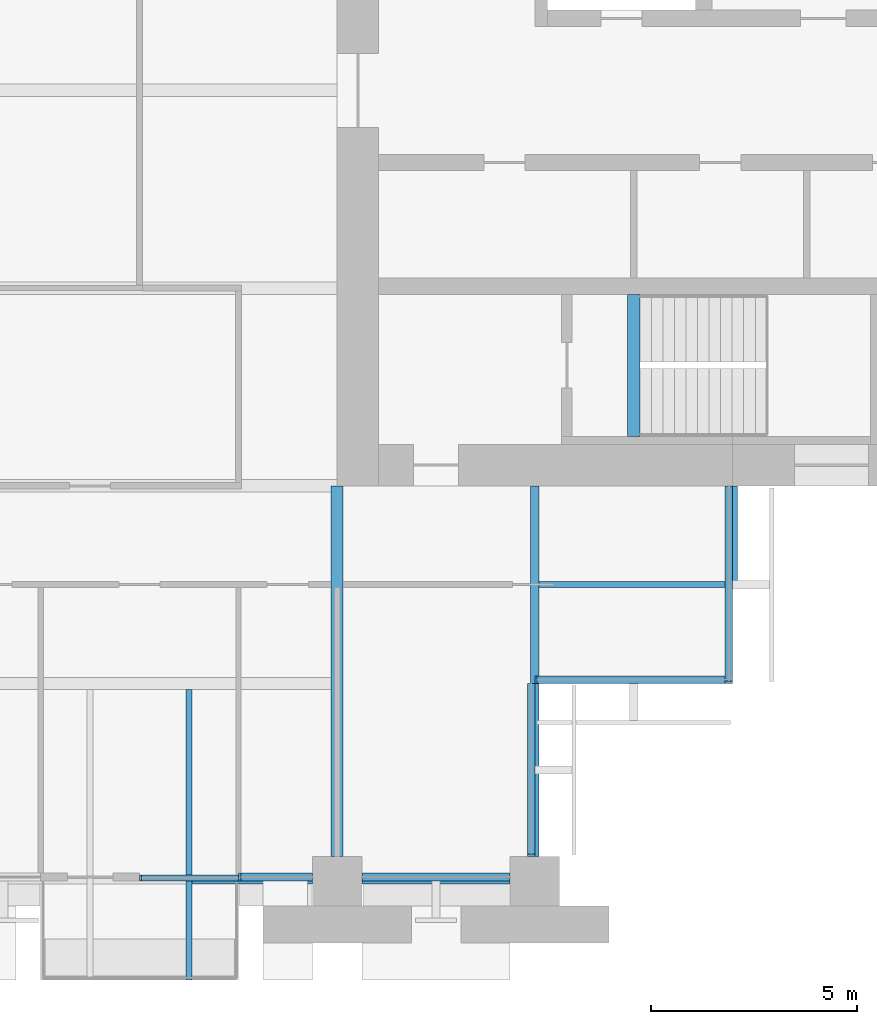
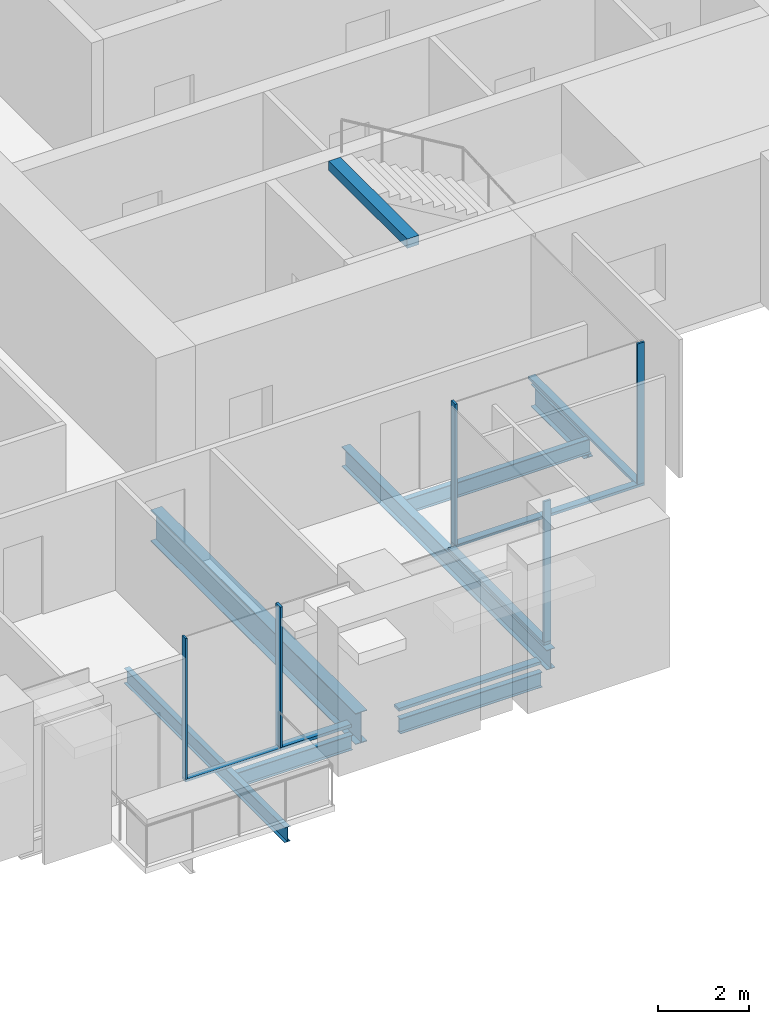
# One storey, part 4 of 15: 11 members, 8 beams, 5 elements without a shape of their own.
"""IFC4 building model written with IfcOpenShell, lengths in metres."""

import ifcopenshell
import ifcopenshell.guid

model = None  # the IFC model being written
_history = None  # IfcOwnerHistory: only IFC2X3 demands one
_inside = {}  # id of a spatial element -> (the spatial element, [elements in it])
_under = {}  # id of a project, library or spatial element -> (it, [spatial elements below it])
_declared = {}  # id of a project -> (the project, [libraries it declares])
_typed = {}  # id of a type object -> (the type object, [elements of that type])
_made_of = {}  # id of a material, layer set ... -> (it, [elements and type objects made of it])


def new_model(schema):
    """Start an empty IFC model of exactly this schema.

    Asked for "IFC4X3", IfcOpenShell would pick the latest addendum, in which some entities
    have other attributes; the version numbers below select the first issue.
    IFC2X3 requires an IfcOwnerHistory on every rooted entity: one is made here for all.
    """
    global model, _history
    if schema == "IFC4X3":
        model = ifcopenshell.file(schema_version=(4, 3, 0, 0))
    else:
        model = ifcopenshell.file(schema=schema)
    _inside.clear()
    _under.clear()
    _declared.clear()
    _typed.clear()
    _made_of.clear()
    _history = None
    if model.schema == "IFC2X3":
        org = make("IfcOrganization", Name="unknown")
        user = make(
            "IfcPersonAndOrganization",
            ThePerson=make("IfcPerson", FamilyName="unknown"),
            TheOrganization=org,
        )
        app = make(
            "IfcApplication",
            ApplicationDeveloper=org,
            Version="unknown",
            ApplicationFullName="unknown",
            ApplicationIdentifier="unknown",
        )
        _history = make(
            "IfcOwnerHistory",
            OwningUser=user,
            OwningApplication=app,
            ChangeAction="ADDED",
            CreationDate=0,
        )
    return model


def make(cls, **values):
    """One entity of the class cls with the attributes given. An attribute that is None is left unset."""
    return model.create_entity(
        cls, **{name: value for name, value in values.items() if value is not None}
    )


def rooted(cls, **values):
    """An entity with a GlobalId (a new one), such as an element, a storey or a relation."""
    return make(cls, GlobalId=ifcopenshell.guid.new(), OwnerHistory=_history, **values)


def si_unit(unit_type, name, prefix=None):
    """IfcSIUnit, for example si_unit("LENGTHUNIT", "METRE", prefix="MILLI")."""
    return make("IfcSIUnit", UnitType=unit_type, Prefix=prefix, Name=name)


def assignment(units):
    """IfcUnitAssignment: the units of a project."""
    return None if units is None else make("IfcUnitAssignment", Units=units)


def point(xyz):
    """IfcCartesianPoint."""
    return None if xyz is None else make("IfcCartesianPoint", Coordinates=xyz)


def direction(xyz):
    """IfcDirection."""
    return None if xyz is None else make("IfcDirection", DirectionRatios=xyz)


def frame(location, z_axis=None, x_axis=None):
    """IfcAxis2Placement3D, a coordinate frame: its origin and axes. An axis left out is left unset."""
    return make(
        "IfcAxis2Placement3D",
        Location=point(location),
        Axis=direction(z_axis),
        RefDirection=direction(x_axis),
    )


def frame_2d(location, x_axis=None):
    """IfcAxis2Placement2D, a coordinate frame in the plane: its origin and x axis."""
    return make(
        "IfcAxis2Placement2D", Location=point(location), RefDirection=direction(x_axis)
    )


def origin():
    """The frame at (0, 0, 0) with its axes left unset."""
    return frame((0.0, 0.0, 0.0))


def origin_2d():
    """The frame at (0, 0) in the plane with its x axis left unset."""
    return frame_2d((0.0, 0.0))


def place(relative_to, where):
    """IfcLocalPlacement: puts the frame where relative to a parent placement (None: the world)."""
    return make(
        "IfcLocalPlacement", PlacementRelTo=relative_to, RelativePlacement=where
    )


def context(
    kind, dimensions, precision=None, world=None, true_north=None, identifier=None
):
    """IfcGeometricRepresentationContext, for example the 3D "Model" context."""
    return make(
        "IfcGeometricRepresentationContext",
        ContextIdentifier=identifier,
        ContextType=kind,
        CoordinateSpaceDimension=dimensions,
        Precision=precision,
        WorldCoordinateSystem=world,
        TrueNorth=true_north,
    )


def subcontext(parent, identifier, kind, view, scale=None):
    """IfcGeometricRepresentationSubContext, for example "Body" below "Model"."""
    return make(
        "IfcGeometricRepresentationSubContext",
        ContextIdentifier=identifier,
        ContextType=kind,
        ParentContext=parent,
        TargetScale=scale,
        TargetView=view,
    )


def project(units=None, contexts=None):
    """IfcProject with its units and contexts."""
    return rooted(
        "IfcProject",
        Name="project",
        RepresentationContexts=contexts,
        UnitsInContext=assignment(units),
    )


def spatial(cls, under=None, at=None, **own):
    """A site, building, storey or space (cls), placed at a placement, below another one or the project."""
    s = rooted(cls, ObjectPlacement=at, **own)
    if under is not None:
        _under.setdefault(under.id(), (under, []))[1].append(s)
    return s


def profile(cls, at=None, kind="AREA", **sizes):
    """A parametric profile (cls). Its sizes go by their IFC names, for example OverallWidth=200.0."""
    return make(cls, ProfileType=kind, Position=at, **sizes)


def rectangle(**sizes):
    """IfcRectangleProfileDef."""
    return profile("IfcRectangleProfileDef", **sizes)


def i_section(**sizes):
    """IfcIShapeProfileDef."""
    return profile("IfcIShapeProfileDef", **sizes)


def extrude(swept, where, along, depth):
    """IfcExtrudedAreaSolid: the profile swept, set in the frame where, extruded along a direction by depth."""
    return make(
        "IfcExtrudedAreaSolid",
        SweptArea=swept,
        Position=where,
        ExtrudedDirection=direction(along),
        Depth=depth,
    )


def shape(context_of_items, identifier, shape_type, items):
    """IfcShapeRepresentation: the items that make up one representation, for example the "Body"."""
    return make(
        "IfcShapeRepresentation",
        ContextOfItems=context_of_items,
        RepresentationIdentifier=identifier,
        RepresentationType=shape_type,
        Items=items,
    )


def material(Name=None, Category=None):
    """IfcMaterial."""
    return make("IfcMaterial", Name=Name, Category=Category)


def material_profile(
    of_material, cross_section, Name=None, Category=None, Priority=None
):
    """IfcMaterialProfile: a cross section and its material."""
    return make(
        "IfcMaterialProfile",
        Name=Name,
        Material=of_material,
        Profile=cross_section,
        Priority=Priority,
        Category=Category,
    )


def profile_set(profiles, Name=None, composite=None):
    """IfcMaterialProfileSet."""
    return make(
        "IfcMaterialProfileSet",
        Name=Name,
        MaterialProfiles=profiles,
        CompositeProfile=composite,
    )


def made_of(thing, what):
    """Note that an element or type object is made of a material, layer set ...; save() writes the relation."""
    if what is not None:
        _made_of.setdefault(what.id(), (what, []))[1].append(thing)
    return thing


def type_object(cls, material=None, **own):
    """A type object (cls), such as IfcWallType, which elements share."""
    return made_of(rooted(cls, **own), material)


def element(
    cls,
    number,
    at=None,
    inside=None,
    cuts=None,
    type_object=None,
    material=None,
    context=None,
    identifier="Body",
    shape_type=None,
    held_by="IfcProductDefinitionShape",
    body=None,
    shapes=None,
    **own,
):
    """One element of the class cls, such as IfcWall. Its Tag is "e" and its number.

    at: its placement. inside: the storey or other place that contains it. cuts: it is an
    opening in that element (IfcRelVoidsElement). A single representation is given by context,
    identifier, shape_type and body (its items); several are given by shapes. held_by: the class
    of the entity that holds the representations. save() writes the other relations.
    """
    e = rooted(cls, Tag="e%d" % number, ObjectPlacement=at, **own)
    if body is not None:
        shapes = [shape(context, identifier, shape_type, body)]
    if shapes is not None:
        e.Representation = make(held_by, Representations=shapes)
    if inside is not None:
        _inside.setdefault(inside.id(), (inside, []))[1].append(e)
    if cuts is not None:
        rooted(
            "IfcRelVoidsElement", RelatingBuildingElement=cuts, RelatedOpeningElement=e
        )
    if type_object is not None:
        _typed.setdefault(type_object.id(), (type_object, []))[1].append(e)
    return made_of(e, material)


def aggregate(whole, parts):
    """IfcRelAggregates: a whole, such as a stair, and the parts it consists of."""
    return rooted("IfcRelAggregates", RelatingObject=whole, RelatedObjects=parts)


def save(model, path):
    """Write the relations noted so far, then the file.

    IfcRelAggregates (storeys below a building ...), IfcRelContainedInSpatialStructure (elements
    in a storey), IfcRelDefinesByType, IfcRelAssociatesMaterial and IfcRelDeclares: one each for
    every whole, place, type object, material and project.
    """
    for whole, parts in _under.values():
        aggregate(whole, parts)
    for where, things in _inside.values():
        rooted(
            "IfcRelContainedInSpatialStructure",
            RelatedElements=things,
            RelatingStructure=where,
        )
    for kind, things in _typed.values():
        rooted("IfcRelDefinesByType", RelatedObjects=things, RelatingType=kind)
    for what, things in _made_of.values():
        rooted("IfcRelAssociatesMaterial", RelatedObjects=things, RelatingMaterial=what)
    for by, libraries in _declared.values():
        rooted("IfcRelDeclares", RelatingContext=by, RelatedDefinitions=libraries)
    model.write(path)


model = new_model("IFC4")

# Units and contexts
model_context = context("Model", 3, precision=1e-05, world=origin(), true_north=direction((0.0, 1.0)))
body_context = subcontext(model_context, "Body", "Model", "MODEL_VIEW")
ifc_project = project(units=[si_unit("LENGTHUNIT", "METRE"), si_unit("AREAUNIT", "SQUARE_METRE"), si_unit("VOLUMEUNIT", "CUBIC_METRE"), si_unit("PLANEANGLEUNIT", "RADIAN"), si_unit("MASSUNIT", "GRAM", prefix="KILO")], contexts=[model_context])

# Site, building, storey
site_placement = place(None, origin())
site = spatial("IfcSite", under=ifc_project, at=site_placement, CompositionType="ELEMENT")
building_placement = place(site_placement, origin())
building = spatial("IfcBuilding", under=site, at=building_placement, Name="Baori Bourse Tower", CompositionType="ELEMENT")
storey_placement = place(building_placement, frame((0.0, 0.0, 140.10009765625)))
storey = spatial("IfcBuildingStorey", under=building, at=storey_placement, Name="L30", CompositionType="ELEMENT", Elevation=140.10009765625)

# Beam
ifc_material_1 = material(Name="Steel A992 Gr 50", Category="steel")
ifc_material_profile_1 = material_profile(ifc_material_1, i_section(OverallWidth=0.140380859375, OverallDepth=0.40380859375, WebThickness=0.007080078125, FlangeThickness=0.01123046875, at=origin_2d()), Name="W16x31")
ifc_profile_set_1 = profile_set([ifc_material_profile_1], Name="Steel A992 Gr 50")
beam_type_1 = type_object("IfcBeamType", Name="Balcony beam W16x31", PredefinedType="BEAM", material=ifc_profile_set_1)
beam_1_placement = place(storey_placement, frame((34.800048828125, -2.39990234375, -0.362060546875), z_axis=(0.0, 1.0, 0.0), x_axis=(-1.0, 0.0, 0.0)))
element("IfcBeam", 1, at=beam_1_placement, inside=storey, type_object=beam_type_1, Name="Balcony beam L30", PredefinedType="BEAM", context=body_context, shape_type="SweptSolid", body=[
    extrude(i_section(OverallWidth=0.140380859375, OverallDepth=0.40380859375, WebThickness=0.007080078125, FlangeThickness=0.01123046875, at=origin_2d()), origin(), (0.0, 0.0, 1.0), 7.050048828125),
])

# Curtain wall, members
ifc_material_2 = material(Name="Pale anodised aluminium", Category="aluminium")
curtain_wall_type_1 = type_object("IfcCurtainWallType", Name="CW1 Curtain wall", PredefinedType="NOTDEFINED", material=ifc_material_2)
curtain_wall_1_placement = place(storey_placement, origin())
curtain_wall_1 = element("IfcCurtainWall", 2, at=curtain_wall_1_placement, inside=storey, type_object=curtain_wall_type_1, Name="Curtain wall CW1 L30 15", PredefinedType="NOTDEFINED")
ifc_material_3 = material(Name="Pale anodised aluminium", Category="aluminium")
ifc_material_profile_2 = material_profile(ifc_material_3, rectangle(XDim=0.199951171875, YDim=0.06005859375, at=origin_2d()), Name="Mullion 60x200")
ifc_profile_set_2 = profile_set([ifc_material_profile_2], Name="Pale anodised aluminium")
member_type_1 = type_object("IfcMemberType", Name="CW1 Curtain wall mullion", PredefinedType="MULLION", material=ifc_profile_set_2)
member_1_placement = place(storey_placement, frame((36.030029296875, 0.10009765625, 0.079833984375), z_axis=(0.0, 0.0, 1.0), x_axis=(0.0, 1.0, 0.0)))
member_1 = element("IfcMember", 3, at=member_1_placement, type_object=member_type_1, Name="Curtain wall CW1 mullion", PredefinedType="MULLION", context=body_context, shape_type="SweptSolid", body=[
    extrude(rectangle(XDim=0.199951171875, YDim=0.06005859375, at=origin_2d()), origin(), (0.0, 0.0, 1.0), 3.760009765625),
])
ifc_material_4 = material(Name="Pale anodised aluminium", Category="aluminium")
ifc_material_profile_3 = material_profile(ifc_material_4, rectangle(XDim=0.199951171875, YDim=0.080078125, at=origin_2d()), Name="Transom 80x200")
ifc_profile_set_3 = profile_set([ifc_material_profile_3], Name="Pale anodised aluminium")
member_type_2 = type_object("IfcMemberType", Name="CW1 Curtain wall transom", PredefinedType="USERDEFINED", material=ifc_profile_set_3)
member_2_placement = place(storey_placement, frame((36.0, 0.10009765625, 0.039794921875), z_axis=(1.0, 0.0, 0.0), x_axis=(0.0, 1.0, 0.0)))
member_2 = element("IfcMember", 4, at=member_2_placement, type_object=member_type_2, Name="Curtain wall CW1 sill rail", ObjectType="TRANSOM", PredefinedType="USERDEFINED", context=body_context, shape_type="SweptSolid", body=[
    extrude(rectangle(XDim=0.199951171875, YDim=0.080078125, at=origin_2d()), origin(), (0.0, 0.0, 1.0), 1.800048828125),
])
member_3_placement = place(storey_placement, frame((39.0, 0.10009765625, 0.039794921875), z_axis=(1.0, 0.0, 0.0), x_axis=(0.0, 1.0, 0.0)))
member_3 = element("IfcMember", 5, at=member_3_placement, type_object=member_type_2, Name="Curtain wall CW1 sill rail", ObjectType="TRANSOM", PredefinedType="USERDEFINED", context=body_context, shape_type="SweptSolid", body=[
    extrude(rectangle(XDim=0.199951171875, YDim=0.080078125, at=origin_2d()), origin(), (0.0, 0.0, 1.0), 3.60009765625),
])
aggregate(curtain_wall_1, [member_2, member_1, member_3])

# Curtain wall, member
ifc_material_5 = material(Name="Pale anodised aluminium", Category="aluminium")
curtain_wall_type_2 = type_object("IfcCurtainWallType", Name="CW2 Curtain wall", PredefinedType="NOTDEFINED", material=ifc_material_5)
curtain_wall_2_placement = place(storey_placement, origin())
curtain_wall_2 = element("IfcCurtainWall", 6, at=curtain_wall_2_placement, inside=storey, type_object=curtain_wall_type_2, Name="Curtain wall CW2 L30 16", PredefinedType="NOTDEFINED")
ifc_material_6 = material(Name="Pale anodised aluminium", Category="aluminium")
ifc_material_profile_4 = material_profile(ifc_material_6, rectangle(XDim=0.179931640625, YDim=0.054931640625, at=origin_2d()), Name="Mullion 55x180")
ifc_profile_set_4 = profile_set([ifc_material_profile_4], Name="Pale anodised aluminium")
member_type_3 = type_object("IfcMemberType", Name="CW2 Curtain wall mullion", PredefinedType="MULLION", material=ifc_profile_set_4)
member_4_placement = place(storey_placement, frame((43.110107421875, 0.62744140625, 0.06982421875), z_axis=(0.0, 0.0, 1.0), x_axis=(-1.0, 0.0, 0.0)))
member_4 = element("IfcMember", 7, at=member_4_placement, type_object=member_type_3, Name="Curtain wall CW2 mullion", PredefinedType="MULLION", context=body_context, shape_type="SweptSolid", body=[
    extrude(rectangle(XDim=0.179931640625, YDim=0.054931640625, at=origin_2d()), origin(), (0.0, 0.0, 1.0), 3.77001953125),
])

curtain_wall_3_placement = place(storey_placement, origin())
curtain_wall_3 = element("IfcCurtainWall", 8, at=curtain_wall_3_placement, inside=storey, type_object=curtain_wall_type_2, Name="Curtain wall CW2 L30 17", PredefinedType="NOTDEFINED")
member_5_placement = place(storey_placement, frame((43.2275390625, 4.889892578125, 0.06982421875), z_axis=(0.0, 0.0, 1.0), x_axis=(0.0, 1.0, 0.0)))
member_5 = element("IfcMember", 9, at=member_5_placement, type_object=member_type_3, Name="Curtain wall CW2 mullion", PredefinedType="MULLION", context=body_context, shape_type="SweptSolid", body=[
    extrude(rectangle(XDim=0.179931640625, YDim=0.054931640625, at=origin_2d()), origin(), (0.0, 0.0, 1.0), 3.77001953125),
])

curtain_wall_4_placement = place(storey_placement, origin())
curtain_wall_4 = element("IfcCurtainWall", 10, at=curtain_wall_4_placement, inside=storey, type_object=curtain_wall_type_2, Name="Curtain wall CW2 L30 18", PredefinedType="NOTDEFINED")
member_6_placement = place(storey_placement, frame((47.909912109375, 4.827392578125, 0.06982421875), z_axis=(0.0, 0.0, 1.0), x_axis=(-1.0, 0.0, 0.0)))
member_6 = element("IfcMember", 11, at=member_6_placement, type_object=member_type_3, Name="Curtain wall CW2 mullion", PredefinedType="MULLION", context=body_context, shape_type="SweptSolid", body=[
    extrude(rectangle(XDim=0.179931640625, YDim=0.054931640625, at=origin_2d()), origin(), (0.0, 0.0, 1.0), 3.77001953125),
])

# Member
ifc_material_7 = material(Name="Pale anodised aluminium", Category="aluminium")
ifc_material_profile_5 = material_profile(ifc_material_7, rectangle(XDim=0.179931640625, YDim=0.070068359375, at=origin_2d()), Name="Transom 70x180")
ifc_profile_set_5 = profile_set([ifc_material_profile_5], Name="Pale anodised aluminium")
member_type_4 = type_object("IfcMemberType", Name="CW2 Curtain wall transom", PredefinedType="USERDEFINED", material=ifc_profile_set_5)
member_7_placement = place(storey_placement, frame((43.110107421875, 0.60009765625, 0.034912109375), z_axis=(0.0, 1.0, 0.0), x_axis=(-1.0, 0.0, 0.0)))
member_7 = element("IfcMember", 12, at=member_7_placement, type_object=member_type_4, Name="Curtain wall CW2 sill rail", ObjectType="TRANSOM", PredefinedType="USERDEFINED", context=body_context, shape_type="SweptSolid", body=[
    extrude(rectangle(XDim=0.179931640625, YDim=0.070068359375, at=origin_2d()), origin(), (0.0, 0.0, 1.0), 4.199951171875),
])

aggregate(curtain_wall_2, [member_7, member_4])

member_8_placement = place(storey_placement, frame((43.199951171875, 4.889892578125, 0.034912109375), z_axis=(1.0, 0.0, 0.0), x_axis=(0.0, 1.0, 0.0)))
member_8 = element("IfcMember", 13, at=member_8_placement, type_object=member_type_4, Name="Curtain wall CW2 sill rail", ObjectType="TRANSOM", PredefinedType="USERDEFINED", context=body_context, shape_type="SweptSolid", body=[
    extrude(rectangle(XDim=0.179931640625, YDim=0.070068359375, at=origin_2d()), origin(), (0.0, 0.0, 1.0), 4.800048828125),
])

aggregate(curtain_wall_3, [member_8, member_5])

member_9_placement = place(storey_placement, frame((47.909912109375, 4.800048828125, 0.034912109375), z_axis=(0.0, 1.0, 0.0), x_axis=(-1.0, 0.0, 0.0)))
member_9 = element("IfcMember", 14, at=member_9_placement, type_object=member_type_4, Name="Curtain wall CW2 sill rail", ObjectType="TRANSOM", PredefinedType="USERDEFINED", context=body_context, shape_type="SweptSolid", body=[
    extrude(rectangle(XDim=0.179931640625, YDim=0.070068359375, at=origin_2d()), origin(), (0.0, 0.0, 1.0), 4.800048828125),
])

aggregate(curtain_wall_4, [member_9, member_6])

# Curtain wall, members
ifc_material_8 = material(Name="Pale anodised aluminium", Category="aluminium")
curtain_wall_type_3 = type_object("IfcCurtainWallType", Name="CW6 Curtain wall", PredefinedType="NOTDEFINED", material=ifc_material_8)
curtain_wall_5_placement = place(storey_placement, origin())
curtain_wall_5 = element("IfcCurtainWall", 15, at=curtain_wall_5_placement, inside=storey, type_object=curtain_wall_type_3, Name="Curtain wall CW6 L30 14", PredefinedType="NOTDEFINED")
ifc_material_9 = material(Name="Pale anodised aluminium", Category="aluminium")
ifc_material_profile_6 = material_profile(ifc_material_9, rectangle(XDim=0.14990234375, YDim=0.050048828125, at=origin_2d()), Name="Mullion 50x150")
ifc_profile_set_6 = profile_set([ifc_material_profile_6], Name="Pale anodised aluminium")
member_type_5 = type_object("IfcMemberType", Name="CW6 Curtain wall mullion", PredefinedType="MULLION", material=ifc_profile_set_6)
member_10_placement = place(storey_placement, frame((33.625, 0.074951171875, 0.06494140625), z_axis=(0.0, 0.0, 1.0), x_axis=(0.0, 1.0, 0.0)))
member_10 = element("IfcMember", 16, at=member_10_placement, type_object=member_type_5, Name="Curtain wall CW6 mullion", PredefinedType="MULLION", context=body_context, shape_type="SweptSolid", body=[
    extrude(rectangle(XDim=0.14990234375, YDim=0.050048828125, at=origin_2d()), origin(), (0.0, 0.0, 1.0), 3.77490234375),
])
ifc_material_10 = material(Name="Pale anodised aluminium", Category="aluminium")
ifc_material_profile_7 = material_profile(ifc_material_10, rectangle(XDim=0.14990234375, YDim=0.06494140625, at=origin_2d()), Name="Transom 65x150")
ifc_profile_set_7 = profile_set([ifc_material_profile_7], Name="Pale anodised aluminium")
member_type_6 = type_object("IfcMemberType", Name="CW6 Curtain wall transom", PredefinedType="USERDEFINED", material=ifc_profile_set_7)
member_11_placement = place(storey_placement, frame((33.60009765625, 0.074951171875, 0.032470703125), z_axis=(1.0, 0.0, 0.0), x_axis=(0.0, 1.0, 0.0)))
member_11 = element("IfcMember", 17, at=member_11_placement, type_object=member_type_6, Name="Curtain wall CW6 sill rail", ObjectType="TRANSOM", PredefinedType="USERDEFINED", context=body_context, shape_type="SweptSolid", body=[
    extrude(rectangle(XDim=0.14990234375, YDim=0.06494140625, at=origin_2d()), origin(), (0.0, 0.0, 1.0), 2.39990234375),
])
aggregate(curtain_wall_5, [member_11, member_10])

# Beams
ifc_material_11 = material(Name="Steel A992 Gr 50", Category="steel")
ifc_material_profile_8 = material_profile(ifc_material_11, i_section(OverallWidth=0.227783203125, OverallDepth=0.60205078125, WebThickness=0.010498046875, FlangeThickness=0.014892578125, at=origin_2d()), Name="W24x68")
ifc_profile_set_8 = profile_set([ifc_material_profile_8], Name="Steel A992 Gr 50")
beam_type_2 = type_object("IfcBeamType", Name="Core bracket W24x68", PredefinedType="BEAM", material=ifc_profile_set_8)
beam_2_placement = place(storey_placement, frame((48.0, 7.270263671875, -0.461181640625), z_axis=(0.0, 1.0, 0.0), x_axis=(-1.0, 0.0, 0.0)))
element("IfcBeam", 18, at=beam_2_placement, inside=storey, type_object=beam_type_2, Name="Core bracket L30", PredefinedType="BEAM", context=body_context, shape_type="SweptSolid", body=[
    extrude(i_section(OverallWidth=0.227783203125, OverallDepth=0.60205078125, WebThickness=0.010498046875, FlangeThickness=0.014892578125, at=origin_2d()), origin(), (0.0, 0.0, 1.0), 2.329833984375),
])
ifc_material_12 = material(Name="Steel A992 Gr 50", Category="steel")
ifc_material_profile_9 = material_profile(ifc_material_12, i_section(OverallWidth=0.140380859375, OverallDepth=0.40380859375, WebThickness=0.007080078125, FlangeThickness=0.01123046875, at=origin_2d()), Name="W16x31")
ifc_profile_set_9 = profile_set([ifc_material_profile_9], Name="Steel A992 Gr 50")
beam_type_3 = type_object("IfcBeamType", Name="Edge beam W16x31", PredefinedType="BEAM", material=ifc_profile_set_9)
beam_3_placement = place(storey_placement, frame((34.8701171875, 0.0, -0.362060546875), z_axis=(1.0, 0.0, 0.0), x_axis=(0.0, 1.0, 0.0)))
element("IfcBeam", 19, at=beam_3_placement, inside=storey, type_object=beam_type_3, Name="Edge beam L30", PredefinedType="BEAM", context=body_context, shape_type="SweptSolid", body=[
    extrude(i_section(OverallWidth=0.140380859375, OverallDepth=0.40380859375, WebThickness=0.007080078125, FlangeThickness=0.01123046875, at=origin_2d()), origin(), (0.0, 0.0, 1.0), 2.929931640625),
])
beam_4_placement = place(storey_placement, frame((39.0, 0.0, -0.362060546875), z_axis=(1.0, 0.0, 0.0), x_axis=(0.0, 1.0, 0.0)))
element("IfcBeam", 20, at=beam_4_placement, inside=storey, type_object=beam_type_3, Name="Edge beam L30", PredefinedType="BEAM", context=body_context, shape_type="SweptSolid", body=[
    extrude(i_section(OverallWidth=0.140380859375, OverallDepth=0.40380859375, WebThickness=0.007080078125, FlangeThickness=0.01123046875, at=origin_2d()), origin(), (0.0, 0.0, 1.0), 3.60009765625),
])
ifc_material_13 = material(Name="Steel A992 Gr 50", Category="steel")
ifc_material_profile_10 = material_profile(ifc_material_13, i_section(OverallWidth=0.209228515625, OverallDepth=0.533447265625, WebThickness=0.01025390625, FlangeThickness=0.015625, at=origin_2d()), Name="W21x62")
ifc_profile_set_10 = profile_set([ifc_material_profile_10], Name="Steel A992 Gr 50")
beam_type_4 = type_object("IfcBeamType", Name="Floor beam W21x62", PredefinedType="BEAM", material=ifc_profile_set_10)
beam_5_placement = place(storey_placement, frame((43.199951171875, 0.60009765625, -0.4267578125), z_axis=(0.0, 1.0, 0.0), x_axis=(-1.0, 0.0, 0.0)))
element("IfcBeam", 21, at=beam_5_placement, inside=storey, type_object=beam_type_4, Name="Floor beam L30", PredefinedType="BEAM", context=body_context, shape_type="SweptSolid", body=[
    extrude(i_section(OverallWidth=0.209228515625, OverallDepth=0.533447265625, WebThickness=0.01025390625, FlangeThickness=0.015625, at=origin_2d()), origin(), (0.0, 0.0, 1.0), 9.0),
])
ifc_material_14 = material(Name="Steel A992 Gr 50", Category="steel")
ifc_material_profile_11 = material_profile(ifc_material_14, i_section(OverallWidth=0.2919921875, OverallDepth=0.835693359375, WebThickness=0.013916015625, FlangeThickness=0.018798828125, at=origin_2d()), Name="W33x118")
ifc_profile_set_11 = profile_set([ifc_material_profile_11], Name="Steel A992 Gr 50")
beam_type_5 = type_object("IfcBeamType", Name="Girder W33x118", PredefinedType="BEAM", material=ifc_profile_set_11)
beam_6_placement = place(storey_placement, frame((38.39990234375, 0.60009765625, -0.577880859375), z_axis=(0.0, 1.0, 0.0), x_axis=(-1.0, 0.0, 0.0)))
element("IfcBeam", 22, at=beam_6_placement, inside=storey, type_object=beam_type_5, Name="Girder L30", PredefinedType="BEAM", context=body_context, shape_type="SweptSolid", body=[
    extrude(i_section(OverallWidth=0.2919921875, OverallDepth=0.835693359375, WebThickness=0.013916015625, FlangeThickness=0.018798828125, at=origin_2d()), origin(), (0.0, 0.0, 1.0), 9.0),
])
ifc_material_15 = material(Name="Concrete f'c 50 MPa", Category="concrete")
ifc_material_profile_12 = material_profile(ifc_material_15, rectangle(XDim=0.300048828125, YDim=0.25, at=origin_2d()), Name="RC 300x250")
ifc_profile_set_12 = profile_set([ifc_material_profile_12], Name="Concrete f'c 50 MPa")
beam_type_6 = type_object("IfcBeamType", Name="Stair nib beam RC 300x250", PredefinedType="BEAM", material=ifc_profile_set_12)
beam_7_placement = place(storey_placement, frame((45.60009765625, 10.800048828125, 3.71484375), z_axis=(0.0, 1.0, 0.0), x_axis=(-1.0, 0.0, 0.0)))
element("IfcBeam", 23, at=beam_7_placement, inside=storey, type_object=beam_type_6, Name="Stair EA nib beam L31", PredefinedType="BEAM", context=body_context, shape_type="SweptSolid", body=[
    extrude(rectangle(XDim=0.300048828125, YDim=0.25, at=origin_2d()), origin(), (0.0, 0.0, 1.0), 3.449951171875),
])
ifc_material_16 = material(Name="Steel A992 Gr 50", Category="steel")
ifc_material_profile_13 = material_profile(ifc_material_16, i_section(OverallWidth=0.140380859375, OverallDepth=0.40380859375, WebThickness=0.007080078125, FlangeThickness=0.01123046875, at=origin_2d()), Name="W16x31")
ifc_profile_set_13 = profile_set([ifc_material_profile_13], Name="Steel A992 Gr 50")
beam_type_7 = type_object("IfcBeamType", Name="Trimmer beam W16x31", PredefinedType="BEAM", material=ifc_profile_set_13)
beam_8_placement = place(storey_placement, frame((43.3046875, 7.199951171875, -0.362060546875), z_axis=(1.0, 0.0, 0.0), x_axis=(0.0, 1.0, 0.0)))
element("IfcBeam", 24, at=beam_8_placement, inside=storey, type_object=beam_type_7, Name="Trimmer beam L30", PredefinedType="BEAM", context=body_context, shape_type="SweptSolid", body=[
    extrude(i_section(OverallWidth=0.140380859375, OverallDepth=0.40380859375, WebThickness=0.007080078125, FlangeThickness=0.01123046875, at=origin_2d()), origin(), (0.0, 0.0, 1.0), 4.6953125),
])

save(model, "model.ifc")
